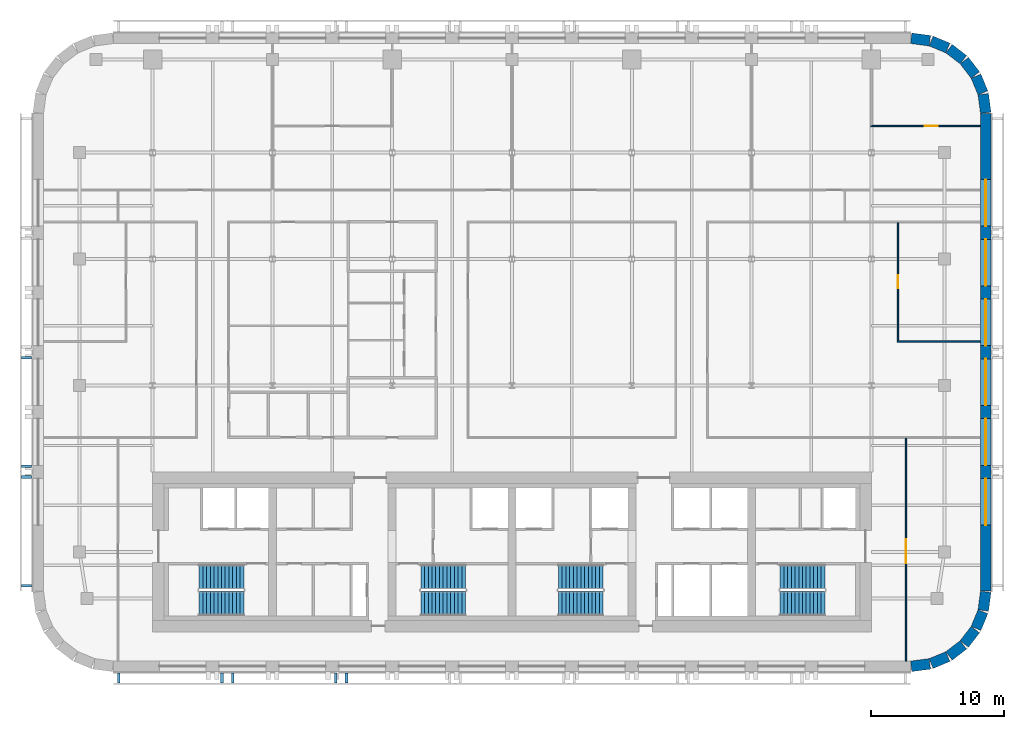
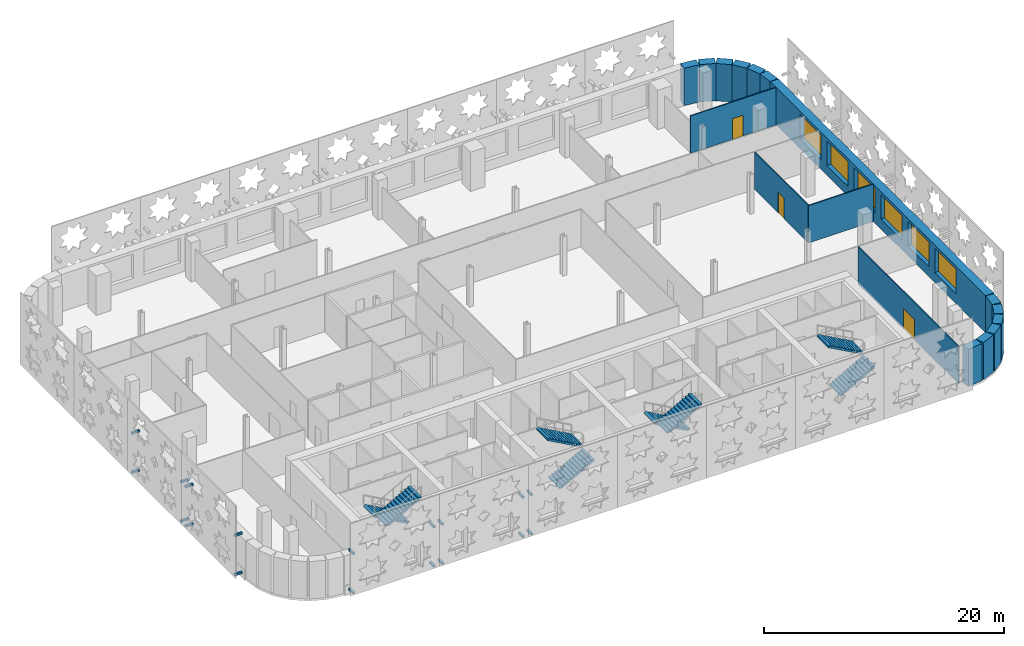
# One storey, part 8 of 13: 18 discrete accessories, 17 walls, 8 stair flights, 6 windows, 3 doors, 9 openings, 4 elements without a shape of their own.
"""IFC4 building model written with IfcOpenShell, lengths in metres."""

from ifc_helpers import new_model, si_unit, direction, frame, frame_2d, origin, origin_2d, place, context, subcontext, project, spatial, polyline, rectangle, outline, extrude, material, layer, layer_set, type_object, element, fill, aggregate, save


model = new_model("IFC4")

# Units and contexts
model_context = context("Model", 3, precision=1e-05, world=origin(), true_north=direction((0.0, 1.0)))
body_context = subcontext(model_context, "Body", "Model", "MODEL_VIEW")
ifc_project = project(units=[si_unit("LENGTHUNIT", "METRE"), si_unit("AREAUNIT", "SQUARE_METRE"), si_unit("VOLUMEUNIT", "CUBIC_METRE"), si_unit("PLANEANGLEUNIT", "RADIAN"), si_unit("MASSUNIT", "GRAM", prefix="KILO")], contexts=[model_context])

# Site, building, storey
site_placement = place(None, origin())
site = spatial("IfcSite", under=ifc_project, at=site_placement, CompositionType="ELEMENT")
building_placement = place(site_placement, origin())
building = spatial("IfcBuilding", under=site, at=building_placement, Name="Zellij Exchange Tower", CompositionType="ELEMENT")
storey_placement = place(building_placement, frame((0.0, 0.0, 172.5)))
storey = spatial("IfcBuildingStorey", under=building, at=storey_placement, Name="L39", CompositionType="ELEMENT", Elevation=172.5)

# Walls
ifc_material_1 = material(Name="Precast concrete C40/50", Category="concrete")
ifc_layer_1 = layer(ifc_material_1, 0.800048828125)
ifc_layer_set_1 = layer_set([ifc_layer_1], Name="Precast concrete C40/50")
wall_type_1 = type_object("IfcWallType", Name="ENV-EW1 Precast stone-piered wall 800", PredefinedType="SOLIDWALL", material=ifc_layer_set_1)
wall_1_placement = place(storey_placement, frame((29.999755859375, -16.5966796875, 0.0), z_axis=(0.0, 0.0, 1.0), x_axis=(0.99144603414, 0.130517283865, 0.0)))
element("IfcWall", 1, at=wall_1_placement, inside=storey, type_object=wall_type_1, Name="fac.L39.01", PredefinedType="SOLIDWALL", context=body_context, shape_type="SweptSolid", body=[
    extrude(rectangle(XDim=1.408447265625, YDim=0.800048828125, at=frame_2d((0.7041015625, 0.0))), origin(), (0.0, 0.0, 1.0), 3.800048828125),
])
wall_2_placement = place(storey_placement, frame((31.497314453125, -16.3857421875, 0.0), z_axis=(0.0, 0.0, 1.0), x_axis=(0.923847774587, 0.38276009378, 0.0)))
element("IfcWall", 2, at=wall_2_placement, inside=storey, type_object=wall_type_1, Name="fac.L39.02", PredefinedType="SOLIDWALL", context=body_context, shape_type="SweptSolid", body=[
    extrude(rectangle(XDim=1.35546875, YDim=0.800048828125, at=frame_2d((0.677734375, 0.0))), origin(), (0.0, 0.0, 1.0), 3.800048828125),
])
for number, where, z_axis, x_axis, name in (
    (3, (32.840087890625, -15.814697265625, 0.0), (0.0, 0.0, 1.0), (0.793272915452, 0.608866226366, 0.0), "fac.L39.03"),
    (4, (33.9892578125, -14.91552734375, 0.0), (0.0, 0.0, 1.0), (0.608866226366, 0.793272915452, 0.0), "fac.L39.04"),
):
    element("IfcWall", number, at=place(storey_placement, frame(where, z_axis=z_axis, x_axis=x_axis)), inside=storey, type_object=wall_type_1, Name=name, PredefinedType="SOLIDWALL", context=body_context, shape_type="SweptSolid", body=[
        extrude(rectangle(XDim=1.355712890625, YDim=0.800048828125, at=frame_2d((0.677734375, 0.0))), origin(), (0.0, 0.0, 1.0), 3.800048828125),
    ])
wall_3_placement = place(storey_placement, frame((34.866943359375, -13.74951171875, 0.0), z_axis=(0.0, 0.0, 1.0), x_axis=(0.38276009378, 0.923847774587, 0.0)))
element("IfcWall", 5, at=wall_3_placement, inside=storey, type_object=wall_type_1, Name="fac.L39.05", PredefinedType="SOLIDWALL", context=body_context, shape_type="SweptSolid", body=[
    extrude(rectangle(XDim=1.35546875, YDim=0.800048828125, at=frame_2d((0.677734375, 0.0))), origin(), (0.0, 0.0, 1.0), 3.800048828125),
])
wall_4_placement = place(storey_placement, frame((35.412841796875, -12.396240234375, 0.0), z_axis=(0.0, 0.0, 1.0), x_axis=(0.130517283865, 0.99144603414, 0.0)))
element("IfcWall", 6, at=wall_4_placement, inside=storey, type_object=wall_type_1, Name="fac.L39.06", PredefinedType="SOLIDWALL", context=body_context, shape_type="SweptSolid", body=[
    extrude(rectangle(XDim=1.408447265625, YDim=0.800048828125, at=frame_2d((0.7041015625, 0.0))), origin(), (0.0, 0.0, 1.0), 3.800048828125),
])

# Wall, openings, windows
wall_5_placement = place(storey_placement, frame((35.60009765625, -10.947509765625, 0.0), z_axis=(0.0, 0.0, 1.0), x_axis=(0.0, 1.0, 0.0)))
wall_5 = element("IfcWall", 7, at=wall_5_placement, inside=storey, type_object=wall_type_1, Name="fac.L39.07", PredefinedType="SOLIDWALL", context=body_context, shape_type="SweptSolid", body=[
    extrude(rectangle(XDim=35.89501953125, YDim=0.800048828125, at=frame_2d((17.947509765625, 0.0))), origin(), (0.0, 0.0, 1.0), 3.800048828125),
])
opening_1_placement = place(wall_5_placement, frame((4.9638671875, 0.0, 1.0)))
opening_1 = element("IfcOpeningElement", 8, at=opening_1_placement, cuts=wall_5, Name="Opening FZ3.13", PredefinedType="OPENING", context=body_context, shape_type="SweptSolid", body=[
    extrude(rectangle(XDim=3.5, YDim=2.5, at=frame_2d((1.75, 1.25))), frame((0.0, 0.412109375, 0.0), z_axis=(0.0, -1.0, 0.0), x_axis=(1.0, 0.0, 0.0)), (0.0, 0.0, 1.0), 0.823974609375),
])
opening_2_placement = place(wall_5_placement, frame((9.45751953125, 0.0, 1.0)))
opening_2 = element("IfcOpeningElement", 9, at=opening_2_placement, cuts=wall_5, Name="Opening FZ3.14", PredefinedType="OPENING", context=body_context, shape_type="SweptSolid", body=[
    extrude(rectangle(XDim=3.5, YDim=2.5, at=frame_2d((1.75, 1.25))), frame((0.0, 0.412109375, 0.0), z_axis=(0.0, -1.0, 0.0), x_axis=(1.0, 0.0, 0.0)), (0.0, 0.0, 1.0), 0.823974609375),
])
opening_3_placement = place(wall_5_placement, frame((13.950927734375, 0.0, 1.0)))
opening_3 = element("IfcOpeningElement", 10, at=opening_3_placement, cuts=wall_5, Name="Opening FZ3.15", PredefinedType="OPENING", context=body_context, shape_type="SweptSolid", body=[
    extrude(rectangle(XDim=3.5, YDim=2.5, at=frame_2d((1.75, 1.25))), frame((0.0, 0.412109375, 0.0), z_axis=(0.0, -1.0, 0.0), x_axis=(1.0, 0.0, 0.0)), (0.0, 0.0, 1.0), 0.823974609375),
])
opening_4_placement = place(wall_5_placement, frame((18.4443359375, 0.0, 1.0)))
opening_4 = element("IfcOpeningElement", 11, at=opening_4_placement, cuts=wall_5, Name="Opening FZ3.16", PredefinedType="OPENING", context=body_context, shape_type="SweptSolid", body=[
    extrude(rectangle(XDim=3.5, YDim=2.5, at=frame_2d((1.75, 1.25))), frame((0.0, 0.412109375, 0.0), z_axis=(0.0, -1.0, 0.0), x_axis=(1.0, 0.0, 0.0)), (0.0, 0.0, 1.0), 0.823974609375),
])
opening_5_placement = place(wall_5_placement, frame((22.937744140625, 0.0, 1.0)))
opening_5 = element("IfcOpeningElement", 12, at=opening_5_placement, cuts=wall_5, Name="Opening FZ3.17", PredefinedType="OPENING", context=body_context, shape_type="SweptSolid", body=[
    extrude(rectangle(XDim=3.5, YDim=2.5, at=frame_2d((1.75, 1.25))), frame((0.0, 0.412109375, 0.0), z_axis=(0.0, -1.0, 0.0), x_axis=(1.0, 0.0, 0.0)), (0.0, 0.0, 1.0), 0.823974609375),
])
opening_6_placement = place(wall_5_placement, frame((27.43115234375, 0.0, 1.0)))
opening_6 = element("IfcOpeningElement", 13, at=opening_6_placement, cuts=wall_5, Name="Opening FZ3.18", PredefinedType="OPENING", context=body_context, shape_type="SweptSolid", body=[
    extrude(rectangle(XDim=3.5, YDim=2.5, at=frame_2d((1.75, 1.25))), frame((0.0, 0.412109375, 0.0), z_axis=(0.0, -1.0, 0.0), x_axis=(1.0, 0.0, 0.0)), (0.0, 0.0, 1.0), 0.823974609375),
])
ifc_material_2 = material(Name="Aluminium frame with insulating glass", Category="aluminium")
window_type = type_object("IfcWindowType", Name="ENV-W1 Window 3500x2500", PartitioningType="SINGLE_PANEL", PredefinedType="WINDOW", material=ifc_material_2)
window_1_placement = place(opening_1_placement, origin())
window_1 = element("IfcWindow", 14, at=window_1_placement, inside=storey, type_object=window_type, Name="Window FZ3.13", OverallHeight=2.5, OverallWidth=3.5, PartitioningType="SINGLE_PANEL", PredefinedType="WINDOW", context=body_context, shape_type="SweptSolid", body=[
    extrude(rectangle(XDim=3.5, YDim=2.5, at=frame_2d((1.75, 1.25))), frame((0.0, 0.030029296875, 0.0), z_axis=(0.0, -1.0, 0.0), x_axis=(1.0, 0.0, 0.0)), (0.0, 0.0, 1.0), 0.06005859375),
])
fill(opening_1, window_1)
window_2_placement = place(opening_2_placement, origin())
window_2 = element("IfcWindow", 15, at=window_2_placement, inside=storey, type_object=window_type, Name="Window FZ3.14", OverallHeight=2.5, OverallWidth=3.5, PartitioningType="SINGLE_PANEL", PredefinedType="WINDOW", context=body_context, shape_type="SweptSolid", body=[
    extrude(rectangle(XDim=3.5, YDim=2.5, at=frame_2d((1.75, 1.25))), frame((0.0, 0.030029296875, 0.0), z_axis=(0.0, -1.0, 0.0), x_axis=(1.0, 0.0, 0.0)), (0.0, 0.0, 1.0), 0.06005859375),
])
fill(opening_2, window_2)
window_3_placement = place(opening_3_placement, origin())
window_3 = element("IfcWindow", 16, at=window_3_placement, inside=storey, type_object=window_type, Name="Window FZ3.15", OverallHeight=2.5, OverallWidth=3.5, PartitioningType="SINGLE_PANEL", PredefinedType="WINDOW", context=body_context, shape_type="SweptSolid", body=[
    extrude(rectangle(XDim=3.5, YDim=2.5, at=frame_2d((1.75, 1.25))), frame((0.0, 0.030029296875, 0.0), z_axis=(0.0, -1.0, 0.0), x_axis=(1.0, 0.0, 0.0)), (0.0, 0.0, 1.0), 0.06005859375),
])
fill(opening_3, window_3)
window_4_placement = place(opening_4_placement, origin())
window_4 = element("IfcWindow", 17, at=window_4_placement, inside=storey, type_object=window_type, Name="Window FZ3.16", OverallHeight=2.5, OverallWidth=3.5, PartitioningType="SINGLE_PANEL", PredefinedType="WINDOW", context=body_context, shape_type="SweptSolid", body=[
    extrude(rectangle(XDim=3.5, YDim=2.5, at=frame_2d((1.75, 1.25))), frame((0.0, 0.030029296875, 0.0), z_axis=(0.0, -1.0, 0.0), x_axis=(1.0, 0.0, 0.0)), (0.0, 0.0, 1.0), 0.06005859375),
])
fill(opening_4, window_4)
window_5_placement = place(opening_5_placement, origin())
window_5 = element("IfcWindow", 18, at=window_5_placement, inside=storey, type_object=window_type, Name="Window FZ3.17", OverallHeight=2.5, OverallWidth=3.5, PartitioningType="SINGLE_PANEL", PredefinedType="WINDOW", context=body_context, shape_type="SweptSolid", body=[
    extrude(rectangle(XDim=3.5, YDim=2.5, at=frame_2d((1.75, 1.25))), frame((0.0, 0.030029296875, 0.0), z_axis=(0.0, -1.0, 0.0), x_axis=(1.0, 0.0, 0.0)), (0.0, 0.0, 1.0), 0.06005859375),
])
fill(opening_5, window_5)
window_6_placement = place(opening_6_placement, origin())
window_6 = element("IfcWindow", 19, at=window_6_placement, inside=storey, type_object=window_type, Name="Window FZ3.18", OverallHeight=2.5, OverallWidth=3.5, PartitioningType="SINGLE_PANEL", PredefinedType="WINDOW", context=body_context, shape_type="SweptSolid", body=[
    extrude(rectangle(XDim=3.5, YDim=2.5, at=frame_2d((1.75, 1.25))), frame((0.0, 0.030029296875, 0.0), z_axis=(0.0, -1.0, 0.0), x_axis=(1.0, 0.0, 0.0)), (0.0, 0.0, 1.0), 0.06005859375),
])
fill(opening_6, window_6)

# Walls
wall_6_placement = place(storey_placement, frame((35.5966796875, 24.999755859375, 0.0), z_axis=(0.0, 0.0, 1.0), x_axis=(-0.130517283865, 0.99144603414, 0.0)))
element("IfcWall", 20, at=wall_6_placement, inside=storey, type_object=wall_type_1, Name="fac.L39.08", PredefinedType="SOLIDWALL", context=body_context, shape_type="SweptSolid", body=[
    extrude(rectangle(XDim=1.408447265625, YDim=0.800048828125, at=frame_2d((0.7041015625, 0.0))), origin(), (0.0, 0.0, 1.0), 3.800048828125),
])
wall_7_placement = place(storey_placement, frame((35.3857421875, 26.497314453125, 0.0), z_axis=(0.0, 0.0, 1.0), x_axis=(-0.38276009378, 0.923847774587, 0.0)))
element("IfcWall", 21, at=wall_7_placement, inside=storey, type_object=wall_type_1, Name="fac.L39.09", PredefinedType="SOLIDWALL", context=body_context, shape_type="SweptSolid", body=[
    extrude(rectangle(XDim=1.35546875, YDim=0.800048828125, at=frame_2d((0.677734375, 0.0))), origin(), (0.0, 0.0, 1.0), 3.800048828125),
])
for number, where, z_axis, x_axis, name in (
    (22, (34.814697265625, 27.840087890625, 0.0), (0.0, 0.0, 1.0), (-0.608866226366, 0.793272915452, 0.0), "fac.L39.10"),
    (23, (33.91552734375, 28.9892578125, 0.0), (0.0, 0.0, 1.0), (-0.793272915452, 0.608866226366, 0.0), "fac.L39.11"),
):
    element("IfcWall", number, at=place(storey_placement, frame(where, z_axis=z_axis, x_axis=x_axis)), inside=storey, type_object=wall_type_1, Name=name, PredefinedType="SOLIDWALL", context=body_context, shape_type="SweptSolid", body=[
        extrude(rectangle(XDim=1.355712890625, YDim=0.800048828125, at=frame_2d((0.677734375, 0.0))), origin(), (0.0, 0.0, 1.0), 3.800048828125),
    ])
wall_8_placement = place(storey_placement, frame((32.74951171875, 29.866943359375, 0.0), z_axis=(0.0, 0.0, 1.0), x_axis=(-0.923847774587, 0.38276009378, 0.0)))
element("IfcWall", 24, at=wall_8_placement, inside=storey, type_object=wall_type_1, Name="fac.L39.12", PredefinedType="SOLIDWALL", context=body_context, shape_type="SweptSolid", body=[
    extrude(rectangle(XDim=1.35546875, YDim=0.800048828125, at=frame_2d((0.677734375, 0.0))), origin(), (0.0, 0.0, 1.0), 3.800048828125),
])
wall_9_placement = place(storey_placement, frame((31.396240234375, 30.412841796875, 0.0), z_axis=(0.0, 0.0, 1.0), x_axis=(-0.99144603414, 0.130517283865, 0.0)))
element("IfcWall", 25, at=wall_9_placement, inside=storey, type_object=wall_type_1, Name="fac.L39.13", PredefinedType="SOLIDWALL", context=body_context, shape_type="SweptSolid", body=[
    extrude(rectangle(XDim=1.408447265625, YDim=0.800048828125, at=frame_2d((0.7041015625, 0.0))), origin(), (0.0, 0.0, 1.0), 3.800048828125),
])

# Wall, opening, door
ifc_material_3 = material(Name="Gypsum board partition on steel studs", Category="steel")
ifc_layer_2 = layer(ifc_material_3, 0.10009765625)
ifc_layer_set_2 = layer_set([ifc_layer_2], Name="Gypsum board partition on steel studs")
wall_type_2 = type_object("IfcWallType", Name="FIT-PARTITION-100", PredefinedType="PARTITIONING", material=ifc_layer_set_2)
wall_10_placement = place(storey_placement, frame((29.60009765625, -16.199951171875, 0.0), z_axis=(0.0, 0.0, 1.0), x_axis=(0.0, 1.0, 0.0)))
wall_10 = element("IfcWall", 26, at=wall_10_placement, inside=storey, type_object=wall_type_2, Name="FIT-PARTITION-100 002", PredefinedType="PARTITIONING", context=body_context, shape_type="SweptSolid", body=[
    extrude(rectangle(XDim=16.75, YDim=0.10009765625, at=frame_2d((8.375, 0.0))), origin(), (0.0, 0.0, 1.0), 3.800048828125),
])
opening_7_placement = place(wall_10_placement, frame((7.35009765625, 0.0, 0.0)))
opening_7 = element("IfcOpeningElement", 27, at=opening_7_placement, cuts=wall_10, Name="Opening O3A.02", PredefinedType="OPENING", context=body_context, shape_type="SweptSolid", body=[
    extrude(rectangle(XDim=1.800048828125, YDim=2.10009765625, at=frame_2d((0.89990234375, 1.050048828125))), frame((0.0, 0.06201171875, 0.0), z_axis=(0.0, -1.0, 0.0), x_axis=(1.0, 0.0, 0.0)), (0.0, 0.0, 1.0), 0.1240234375),
])
ifc_material_4 = material(Name="Timber door set", Category="wood")
door_type_1 = type_object("IfcDoorType", Name="FIT-D3-DOUBLE-1800X2100", OperationType="DOUBLE_DOOR_SINGLE_SWING", PredefinedType="DOOR", material=ifc_material_4)
door_1_placement = place(opening_7_placement, origin())
door_1 = element("IfcDoor", 28, at=door_1_placement, inside=storey, type_object=door_type_1, Name="Door O3A.02", OperationType="DOUBLE_DOOR_SINGLE_SWING", OverallHeight=2.10009765625, OverallWidth=1.800048828125, PredefinedType="DOOR", context=body_context, shape_type="SweptSolid", body=[
    extrude(rectangle(XDim=1.800048828125, YDim=2.10009765625, at=frame_2d((0.89990234375, 1.050048828125))), frame((0.0, 0.02490234375, 0.0), z_axis=(0.0, -1.0, 0.0), x_axis=(1.0, 0.0, 0.0)), (0.0, 0.0, 1.0), 0.050048828125),
])
fill(opening_7, door_1)

# Wall
wall_11_placement = place(storey_placement, frame((28.949951171875, 7.800048828125, 0.0), z_axis=(0.0, 0.0, 1.0), x_axis=(1.0, 0.0, 0.0)))
element("IfcWall", 29, at=wall_11_placement, inside=storey, type_object=wall_type_2, Name="FIT-PARTITION-100 026", PredefinedType="PARTITIONING", context=body_context, shape_type="SweptSolid", body=[
    extrude(rectangle(XDim=6.25, YDim=0.10009765625, at=frame_2d((3.125, 0.0))), origin(), (0.0, 0.0, 1.0), 3.800048828125),
])

# Wall, opening, door
wall_12_placement = place(storey_placement, frame((29.0, 7.85009765625, 0.0), z_axis=(0.0, 0.0, 1.0), x_axis=(0.0, 1.0, 0.0)))
wall_12 = element("IfcWall", 30, at=wall_12_placement, inside=storey, type_object=wall_type_2, Name="FIT-PARTITION-100 027", PredefinedType="PARTITIONING", context=body_context, shape_type="SweptSolid", body=[
    extrude(rectangle(XDim=8.89990234375, YDim=0.10009765625, at=frame_2d((4.449951171875, 0.0))), origin(), (0.0, 0.0, 1.0), 3.800048828125),
])
opening_8_placement = place(wall_12_placement, frame((3.949951171875, 0.0, 0.0)))
opening_8 = element("IfcOpeningElement", 31, at=opening_8_placement, cuts=wall_12, Name="Opening O3A.16", PredefinedType="OPENING", context=body_context, shape_type="SweptSolid", body=[
    extrude(rectangle(XDim=1.0, YDim=2.10009765625, at=frame_2d((0.5, 1.050048828125))), frame((0.0, 0.06201171875, 0.0), z_axis=(0.0, -1.0, 0.0), x_axis=(1.0, 0.0, 0.0)), (0.0, 0.0, 1.0), 0.1240234375),
])
door_type_2 = type_object("IfcDoorType", Name="FIT-D2-WIDE-1000X2100", OperationType="SINGLE_SWING_LEFT", PredefinedType="DOOR", material=ifc_material_4)
door_2_placement = place(opening_8_placement, origin())
door_2 = element("IfcDoor", 32, at=door_2_placement, inside=storey, type_object=door_type_2, Name="Door O3A.16", OperationType="SINGLE_SWING_RIGHT", OverallHeight=2.10009765625, OverallWidth=1.0, PredefinedType="DOOR", context=body_context, shape_type="SweptSolid", body=[
    extrude(rectangle(XDim=1.0, YDim=2.10009765625, at=frame_2d((0.5, 1.050048828125))), frame((0.0, 0.02490234375, 0.0), z_axis=(0.0, -1.0, 0.0), x_axis=(1.0, 0.0, 0.0)), (0.0, 0.0, 1.0), 0.050048828125),
])
fill(opening_8, door_2)

wall_13_placement = place(storey_placement, frame((26.949951171875, 24.0, 0.0), z_axis=(0.0, 0.0, 1.0), x_axis=(1.0, 0.0, 0.0)))
wall_13 = element("IfcWall", 33, at=wall_13_placement, inside=storey, type_object=wall_type_2, Name="FIT-PARTITION-100 054", PredefinedType="PARTITIONING", context=body_context, shape_type="SweptSolid", body=[
    extrude(rectangle(XDim=8.25, YDim=0.10009765625, at=frame_2d((4.125, 0.0))), origin(), (0.0, 0.0, 1.0), 3.800048828125),
])
opening_9_placement = place(wall_13_placement, frame((4.050048828125, 0.0, 0.0)))
opening_9 = element("IfcOpeningElement", 34, at=opening_9_placement, cuts=wall_13, Name="Opening O3A.24", PredefinedType="OPENING", context=body_context, shape_type="SweptSolid", body=[
    extrude(rectangle(XDim=1.0, YDim=2.10009765625, at=frame_2d((0.5, 1.050048828125))), frame((0.0, 0.06201171875, 0.0), z_axis=(0.0, -1.0, 0.0), x_axis=(1.0, 0.0, 0.0)), (0.0, 0.0, 1.0), 0.1240234375),
])
door_3_placement = place(opening_9_placement, origin())
door_3 = element("IfcDoor", 35, at=door_3_placement, inside=storey, type_object=door_type_2, Name="Door O3A.24", OperationType="SINGLE_SWING_LEFT", OverallHeight=2.10009765625, OverallWidth=1.0, PredefinedType="DOOR", context=body_context, shape_type="SweptSolid", body=[
    extrude(rectangle(XDim=1.0, YDim=2.10009765625, at=frame_2d((0.5, 1.050048828125))), frame((0.0, 0.02490234375, 0.0), z_axis=(0.0, -1.0, 0.0), x_axis=(1.0, 0.0, 0.0)), (0.0, 0.0, 1.0), 0.050048828125),
])
fill(opening_9, door_3)

# Stair, stair flights
ifc_material_5 = material(Name="Concrete C40/50", Category="concrete")
stair_type = type_object("IfcStairType", Name="CORE-ST exit stair 1850 wide", PredefinedType="HALF_TURN_STAIR", material=ifc_material_5)
stair_1_placement = place(storey_placement, origin())
stair_1 = element("IfcStair", 36, at=stair_1_placement, inside=storey, type_object=stair_type, Name="L39 exit stair ST1", PredefinedType="HALF_TURN_STAIR")
stair_flight_type = type_object("IfcStairFlightType", Name="CORE-SF flight 1850 riser 153.8 going 280", PredefinedType="STRAIGHT", material=ifc_material_5)
stair_flight_1_placement = place(storey_placement, frame((-20.14990234375, -9.875, 0.0), z_axis=(0.0, 0.0, 1.0), x_axis=(-1.0, 0.0, 0.0)))
stair_flight_1 = element("IfcStairFlight", 37, at=stair_flight_1_placement, type_object=stair_flight_type, Name="ST1 flight 1", NumberOfRisers=13, NumberOfTreads=12, PredefinedType="STRAIGHT", RiserHeight=0.153846154, TreadLength=0.28, context=body_context, shape_type="SweptSolid", body=[
    extrude(outline(polyline([(0.0, 0.0), (0.0, 0.15380859375), (0.280029296875, 0.15380859375), (0.280029296875, 0.3076171875), (0.56005859375, 0.3076171875), (0.56005859375, 0.46142578125), (0.840087890625, 0.46142578125), (0.840087890625, 0.615478515625), (1.1201171875, 0.615478515625), (1.1201171875, 0.769287109375), (1.39990234375, 0.769287109375), (1.39990234375, 0.923095703125), (1.679931640625, 0.923095703125), (1.679931640625, 1.076904296875), (1.9599609375, 1.076904296875), (1.9599609375, 1.230712890625), (2.239990234375, 1.230712890625), (2.239990234375, 1.384521484375), (2.52001953125, 1.384521484375), (2.52001953125, 1.53857421875), (2.800048828125, 1.53857421875), (2.800048828125, 1.6923828125), (3.080078125, 1.6923828125), (3.080078125, 1.84619140625), (3.360107421875, 1.84619140625), (3.360107421875, 2.0), (3.360107421875, 1.675048828125), (0.311279296875, 0.0), (0.0, 0.0)])), frame((0.0, 0.925048828125, 0.0), z_axis=(0.0, -1.0, 0.0), x_axis=(1.0, 0.0, 0.0)), (0.0, 0.0, 1.0), 1.85009765625),
])
stair_flight_2_placement = place(storey_placement, frame((-23.510009765625, -11.875, 2.0), z_axis=(0.0, 0.0, 1.0), x_axis=(1.0, 0.0, 0.0)))
stair_flight_2 = element("IfcStairFlight", 38, at=stair_flight_2_placement, type_object=stair_flight_type, Name="ST1 flight 2", NumberOfRisers=13, NumberOfTreads=12, PredefinedType="STRAIGHT", RiserHeight=0.153846154, TreadLength=0.28, context=body_context, shape_type="SweptSolid", body=[
    extrude(outline(polyline([(0.0, 0.0), (0.0, 0.15380859375), (0.280029296875, 0.15380859375), (0.280029296875, 0.3076171875), (0.56005859375, 0.3076171875), (0.56005859375, 0.46142578125), (0.840087890625, 0.46142578125), (0.840087890625, 0.615478515625), (1.1201171875, 0.615478515625), (1.1201171875, 0.769287109375), (1.39990234375, 0.769287109375), (1.39990234375, 0.923095703125), (1.679931640625, 0.923095703125), (1.679931640625, 1.076904296875), (1.9599609375, 1.076904296875), (1.9599609375, 1.230712890625), (2.239990234375, 1.230712890625), (2.239990234375, 1.384521484375), (2.52001953125, 1.384521484375), (2.52001953125, 1.53857421875), (2.800048828125, 1.53857421875), (2.800048828125, 1.6923828125), (3.080078125, 1.6923828125), (3.080078125, 1.84619140625), (3.360107421875, 1.84619140625), (3.360107421875, 2.0), (3.360107421875, 1.675048828125), (0.311279296875, 0.0), (0.0, 0.0)])), frame((0.0, 0.925048828125, 0.0), z_axis=(0.0, -1.0, 0.0), x_axis=(1.0, 0.0, 0.0)), (0.0, 0.0, 1.0), 1.85009765625),
])
aggregate(stair_1, [stair_flight_1, stair_flight_2])

stair_2_placement = place(storey_placement, origin())
stair_2 = element("IfcStair", 39, at=stair_2_placement, inside=storey, type_object=stair_type, Name="L39 exit stair ST2", PredefinedType="HALF_TURN_STAIR")
stair_flight_3_placement = place(storey_placement, frame((-6.85009765625, -11.875, 0.0), z_axis=(0.0, 0.0, 1.0), x_axis=(1.0, 0.0, 0.0)))
stair_flight_3 = element("IfcStairFlight", 40, at=stair_flight_3_placement, type_object=stair_flight_type, Name="ST2 flight 1", NumberOfRisers=13, NumberOfTreads=12, PredefinedType="STRAIGHT", RiserHeight=0.153846154, TreadLength=0.28, context=body_context, shape_type="SweptSolid", body=[
    extrude(outline(polyline([(0.0, 0.0), (0.0, 0.15380859375), (0.280029296875, 0.15380859375), (0.280029296875, 0.3076171875), (0.56005859375, 0.3076171875), (0.56005859375, 0.46142578125), (0.840087890625, 0.46142578125), (0.840087890625, 0.615478515625), (1.1201171875, 0.615478515625), (1.1201171875, 0.769287109375), (1.39990234375, 0.769287109375), (1.39990234375, 0.923095703125), (1.679931640625, 0.923095703125), (1.679931640625, 1.076904296875), (1.9599609375, 1.076904296875), (1.9599609375, 1.230712890625), (2.239990234375, 1.230712890625), (2.239990234375, 1.384521484375), (2.52001953125, 1.384521484375), (2.52001953125, 1.53857421875), (2.800048828125, 1.53857421875), (2.800048828125, 1.6923828125), (3.080078125, 1.6923828125), (3.080078125, 1.84619140625), (3.360107421875, 1.84619140625), (3.360107421875, 2.0), (3.360107421875, 1.675048828125), (0.311279296875, 0.0), (0.0, 0.0)])), frame((0.0, 0.925048828125, 0.0), z_axis=(0.0, -1.0, 0.0), x_axis=(1.0, 0.0, 0.0)), (0.0, 0.0, 1.0), 1.85009765625),
])
stair_flight_4_placement = place(storey_placement, frame((-3.489990234375, -9.875, 2.0), z_axis=(0.0, 0.0, 1.0), x_axis=(-1.0, 0.0, 0.0)))
stair_flight_4 = element("IfcStairFlight", 41, at=stair_flight_4_placement, type_object=stair_flight_type, Name="ST2 flight 2", NumberOfRisers=13, NumberOfTreads=12, PredefinedType="STRAIGHT", RiserHeight=0.153846154, TreadLength=0.28, context=body_context, shape_type="SweptSolid", body=[
    extrude(outline(polyline([(0.0, 0.0), (0.0, 0.15380859375), (0.280029296875, 0.15380859375), (0.280029296875, 0.3076171875), (0.56005859375, 0.3076171875), (0.56005859375, 0.46142578125), (0.840087890625, 0.46142578125), (0.840087890625, 0.615478515625), (1.1201171875, 0.615478515625), (1.1201171875, 0.769287109375), (1.39990234375, 0.769287109375), (1.39990234375, 0.923095703125), (1.679931640625, 0.923095703125), (1.679931640625, 1.076904296875), (1.9599609375, 1.076904296875), (1.9599609375, 1.230712890625), (2.239990234375, 1.230712890625), (2.239990234375, 1.384521484375), (2.52001953125, 1.384521484375), (2.52001953125, 1.53857421875), (2.800048828125, 1.53857421875), (2.800048828125, 1.6923828125), (3.080078125, 1.6923828125), (3.080078125, 1.84619140625), (3.360107421875, 1.84619140625), (3.360107421875, 2.0), (3.360107421875, 1.675048828125), (0.311279296875, 0.0), (0.0, 0.0)])), frame((0.0, 0.925048828125, 0.0), z_axis=(0.0, -1.0, 0.0), x_axis=(1.0, 0.0, 0.0)), (0.0, 0.0, 1.0), 1.85009765625),
])
aggregate(stair_2, [stair_flight_3, stair_flight_4])

stair_3_placement = place(storey_placement, origin())
stair_3 = element("IfcStair", 42, at=stair_3_placement, inside=storey, type_object=stair_type, Name="L39 exit stair ST3", PredefinedType="HALF_TURN_STAIR")
stair_flight_5_placement = place(storey_placement, frame((6.85009765625, -9.875, 0.0), z_axis=(0.0, 0.0, 1.0), x_axis=(-1.0, 0.0, 0.0)))
stair_flight_5 = element("IfcStairFlight", 43, at=stair_flight_5_placement, type_object=stair_flight_type, Name="ST3 flight 1", NumberOfRisers=13, NumberOfTreads=12, PredefinedType="STRAIGHT", RiserHeight=0.153846154, TreadLength=0.28, context=body_context, shape_type="SweptSolid", body=[
    extrude(outline(polyline([(0.0, 0.0), (0.0, 0.15380859375), (0.280029296875, 0.15380859375), (0.280029296875, 0.3076171875), (0.56005859375, 0.3076171875), (0.56005859375, 0.46142578125), (0.840087890625, 0.46142578125), (0.840087890625, 0.615478515625), (1.1201171875, 0.615478515625), (1.1201171875, 0.769287109375), (1.39990234375, 0.769287109375), (1.39990234375, 0.923095703125), (1.679931640625, 0.923095703125), (1.679931640625, 1.076904296875), (1.9599609375, 1.076904296875), (1.9599609375, 1.230712890625), (2.239990234375, 1.230712890625), (2.239990234375, 1.384521484375), (2.52001953125, 1.384521484375), (2.52001953125, 1.53857421875), (2.800048828125, 1.53857421875), (2.800048828125, 1.6923828125), (3.080078125, 1.6923828125), (3.080078125, 1.84619140625), (3.360107421875, 1.84619140625), (3.360107421875, 2.0), (3.360107421875, 1.675048828125), (0.311279296875, 0.0), (0.0, 0.0)])), frame((0.0, 0.925048828125, 0.0), z_axis=(0.0, -1.0, 0.0), x_axis=(1.0, 0.0, 0.0)), (0.0, 0.0, 1.0), 1.85009765625),
])
stair_flight_6_placement = place(storey_placement, frame((3.489990234375, -11.875, 2.0), z_axis=(0.0, 0.0, 1.0), x_axis=(1.0, 0.0, 0.0)))
stair_flight_6 = element("IfcStairFlight", 44, at=stair_flight_6_placement, type_object=stair_flight_type, Name="ST3 flight 2", NumberOfRisers=13, NumberOfTreads=12, PredefinedType="STRAIGHT", RiserHeight=0.153846154, TreadLength=0.28, context=body_context, shape_type="SweptSolid", body=[
    extrude(outline(polyline([(0.0, 0.0), (0.0, 0.15380859375), (0.280029296875, 0.15380859375), (0.280029296875, 0.3076171875), (0.56005859375, 0.3076171875), (0.56005859375, 0.46142578125), (0.840087890625, 0.46142578125), (0.840087890625, 0.615478515625), (1.1201171875, 0.615478515625), (1.1201171875, 0.769287109375), (1.39990234375, 0.769287109375), (1.39990234375, 0.923095703125), (1.679931640625, 0.923095703125), (1.679931640625, 1.076904296875), (1.9599609375, 1.076904296875), (1.9599609375, 1.230712890625), (2.239990234375, 1.230712890625), (2.239990234375, 1.384521484375), (2.52001953125, 1.384521484375), (2.52001953125, 1.53857421875), (2.800048828125, 1.53857421875), (2.800048828125, 1.6923828125), (3.080078125, 1.6923828125), (3.080078125, 1.84619140625), (3.360107421875, 1.84619140625), (3.360107421875, 2.0), (3.360107421875, 1.675048828125), (0.311279296875, 0.0), (0.0, 0.0)])), frame((0.0, 0.925048828125, 0.0), z_axis=(0.0, -1.0, 0.0), x_axis=(1.0, 0.0, 0.0)), (0.0, 0.0, 1.0), 1.85009765625),
])
aggregate(stair_3, [stair_flight_5, stair_flight_6])

stair_4_placement = place(storey_placement, origin())
stair_4 = element("IfcStair", 45, at=stair_4_placement, inside=storey, type_object=stair_type, Name="L39 exit stair ST4", PredefinedType="HALF_TURN_STAIR")
stair_flight_7_placement = place(storey_placement, frame((20.14990234375, -11.875, 0.0), z_axis=(0.0, 0.0, 1.0), x_axis=(1.0, 0.0, 0.0)))
stair_flight_7 = element("IfcStairFlight", 46, at=stair_flight_7_placement, type_object=stair_flight_type, Name="ST4 flight 1", NumberOfRisers=13, NumberOfTreads=12, PredefinedType="STRAIGHT", RiserHeight=0.153846154, TreadLength=0.28, context=body_context, shape_type="SweptSolid", body=[
    extrude(outline(polyline([(0.0, 0.0), (0.0, 0.15380859375), (0.280029296875, 0.15380859375), (0.280029296875, 0.3076171875), (0.56005859375, 0.3076171875), (0.56005859375, 0.46142578125), (0.840087890625, 0.46142578125), (0.840087890625, 0.615478515625), (1.1201171875, 0.615478515625), (1.1201171875, 0.769287109375), (1.39990234375, 0.769287109375), (1.39990234375, 0.923095703125), (1.679931640625, 0.923095703125), (1.679931640625, 1.076904296875), (1.9599609375, 1.076904296875), (1.9599609375, 1.230712890625), (2.239990234375, 1.230712890625), (2.239990234375, 1.384521484375), (2.52001953125, 1.384521484375), (2.52001953125, 1.53857421875), (2.800048828125, 1.53857421875), (2.800048828125, 1.6923828125), (3.080078125, 1.6923828125), (3.080078125, 1.84619140625), (3.360107421875, 1.84619140625), (3.360107421875, 2.0), (3.360107421875, 1.675048828125), (0.311279296875, 0.0), (0.0, 0.0)])), frame((0.0, 0.925048828125, 0.0), z_axis=(0.0, -1.0, 0.0), x_axis=(1.0, 0.0, 0.0)), (0.0, 0.0, 1.0), 1.85009765625),
])
stair_flight_8_placement = place(storey_placement, frame((23.510009765625, -9.875, 2.0), z_axis=(0.0, 0.0, 1.0), x_axis=(-1.0, 0.0, 0.0)))
stair_flight_8 = element("IfcStairFlight", 47, at=stair_flight_8_placement, type_object=stair_flight_type, Name="ST4 flight 2", NumberOfRisers=13, NumberOfTreads=12, PredefinedType="STRAIGHT", RiserHeight=0.153846154, TreadLength=0.28, context=body_context, shape_type="SweptSolid", body=[
    extrude(outline(polyline([(0.0, 0.0), (0.0, 0.15380859375), (0.280029296875, 0.15380859375), (0.280029296875, 0.3076171875), (0.56005859375, 0.3076171875), (0.56005859375, 0.46142578125), (0.840087890625, 0.46142578125), (0.840087890625, 0.615478515625), (1.1201171875, 0.615478515625), (1.1201171875, 0.769287109375), (1.39990234375, 0.769287109375), (1.39990234375, 0.923095703125), (1.679931640625, 0.923095703125), (1.679931640625, 1.076904296875), (1.9599609375, 1.076904296875), (1.9599609375, 1.230712890625), (2.239990234375, 1.230712890625), (2.239990234375, 1.384521484375), (2.52001953125, 1.384521484375), (2.52001953125, 1.53857421875), (2.800048828125, 1.53857421875), (2.800048828125, 1.6923828125), (3.080078125, 1.6923828125), (3.080078125, 1.84619140625), (3.360107421875, 1.84619140625), (3.360107421875, 2.0), (3.360107421875, 1.675048828125), (0.311279296875, 0.0), (0.0, 0.0)])), frame((0.0, 0.925048828125, 0.0), z_axis=(0.0, -1.0, 0.0), x_axis=(1.0, 0.0, 0.0)), (0.0, 0.0, 1.0), 1.85009765625),
])
aggregate(stair_4, [stair_flight_7, stair_flight_8])

# Discrete accessories
ifc_material_6 = material(Name="Stainless steel", Category="steel")
discrete_accessory_type = type_object("IfcDiscreteAccessoryType", Name="ENV-BR1 Stone panel bracket 200", PredefinedType="USERDEFINED", material=ifc_material_6)
for number, where, z_axis, x_axis, name in (
    (48, (-36.47509765625, 6.60009765625, 0.2998046875), (0.0, 0.0, 1.0), (0.0, -1.0, 0.0), "Panel bracket"),
    (49, (-36.47509765625, -1.57373046875, 0.2998046875), (0.0, 0.0, 1.0), (0.0, -1.0, 0.0), "Panel bracket"),
    (50, (-36.47509765625, 6.60009765625, 4.2998046875), (0.0, 0.0, 1.0), (0.0, -1.0, 0.0), "Panel bracket"),
    (51, (-36.47509765625, -1.57373046875, 4.2998046875), (0.0, 0.0, 1.0), (0.0, -1.0, 0.0), "Panel bracket"),
    (52, (-36.47509765625, -2.373779296875, 0.2998046875), (0.0, 0.0, 1.0), (0.0, -1.0, 0.0), "Panel bracket"),
    (53, (-36.47509765625, -10.547607421875, 0.2998046875), (0.0, 0.0, 1.0), (0.0, -1.0, 0.0), "Panel bracket"),
    (54, (-36.47509765625, -2.373779296875, 4.2998046875), (0.0, 0.0, 1.0), (0.0, -1.0, 0.0), "Panel bracket"),
    (55, (-36.47509765625, -10.547607421875, 4.2998046875), (0.0, 0.0, 1.0), (0.0, -1.0, 0.0), "Panel bracket"),
    (56, (-29.547607421875, -17.47509765625, 0.2998046875), (0.0, 0.0, 1.0), (1.0, 0.0, 0.0), "Panel bracket"),
    (57, (-21.791015625, -17.47509765625, 0.2998046875), (0.0, 0.0, 1.0), (1.0, 0.0, 0.0), "Panel bracket"),
    (58, (-29.547607421875, -17.47509765625, 4.2998046875), (0.0, 0.0, 1.0), (1.0, 0.0, 0.0), "Panel bracket"),
    (59, (-21.791015625, -17.47509765625, 4.2998046875), (0.0, 0.0, 1.0), (1.0, 0.0, 0.0), "Panel bracket"),
    (60, (-20.9912109375, -17.47509765625, 0.2998046875), (0.0, 0.0, 1.0), (1.0, 0.0, 0.0), "Panel bracket"),
    (61, (-13.234619140625, -17.47509765625, 0.2998046875), (0.0, 0.0, 1.0), (1.0, 0.0, 0.0), "Panel bracket"),
    (62, (-20.9912109375, -17.47509765625, 4.2998046875), (0.0, 0.0, 1.0), (1.0, 0.0, 0.0), "Panel bracket"),
    (63, (-13.234619140625, -17.47509765625, 4.2998046875), (0.0, 0.0, 1.0), (1.0, 0.0, 0.0), "Panel bracket"),
    (64, (-12.434814453125, -17.47509765625, 0.2998046875), (0.0, 0.0, 1.0), (1.0, 0.0, 0.0), "Panel bracket"),
    (65, (-12.434814453125, -17.47509765625, 4.2998046875), (0.0, 0.0, 1.0), (1.0, 0.0, 0.0), "Panel bracket"),
):
    element("IfcDiscreteAccessory", number, at=place(storey_placement, frame(where, z_axis=z_axis, x_axis=x_axis)), inside=storey, type_object=discrete_accessory_type, Name=name, ObjectType="BRACKET", PredefinedType="USERDEFINED", context=body_context, shape_type="SweptSolid", body=[
        extrude(rectangle(XDim=0.199951171875, YDim=0.75, at=origin_2d()), origin(), (0.0, 0.0, 1.0), 0.199951171875),
    ])

save(model, "model.ifc")
